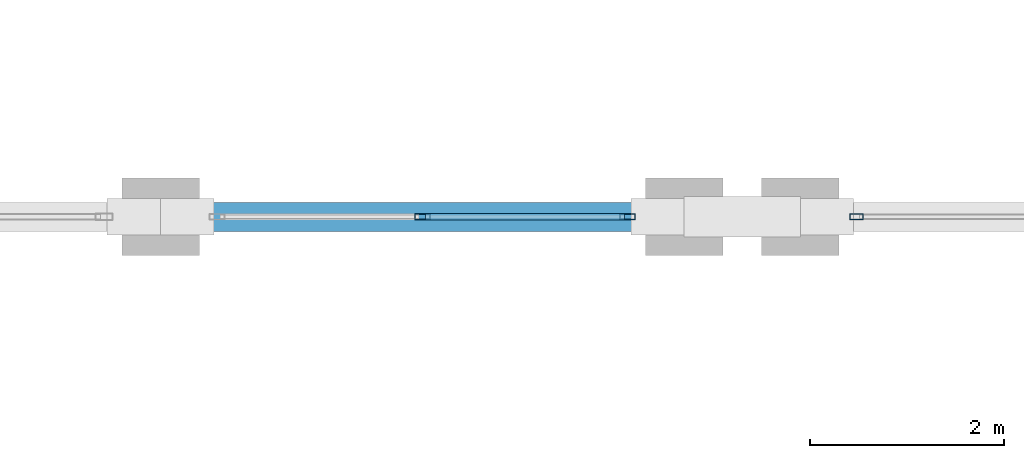
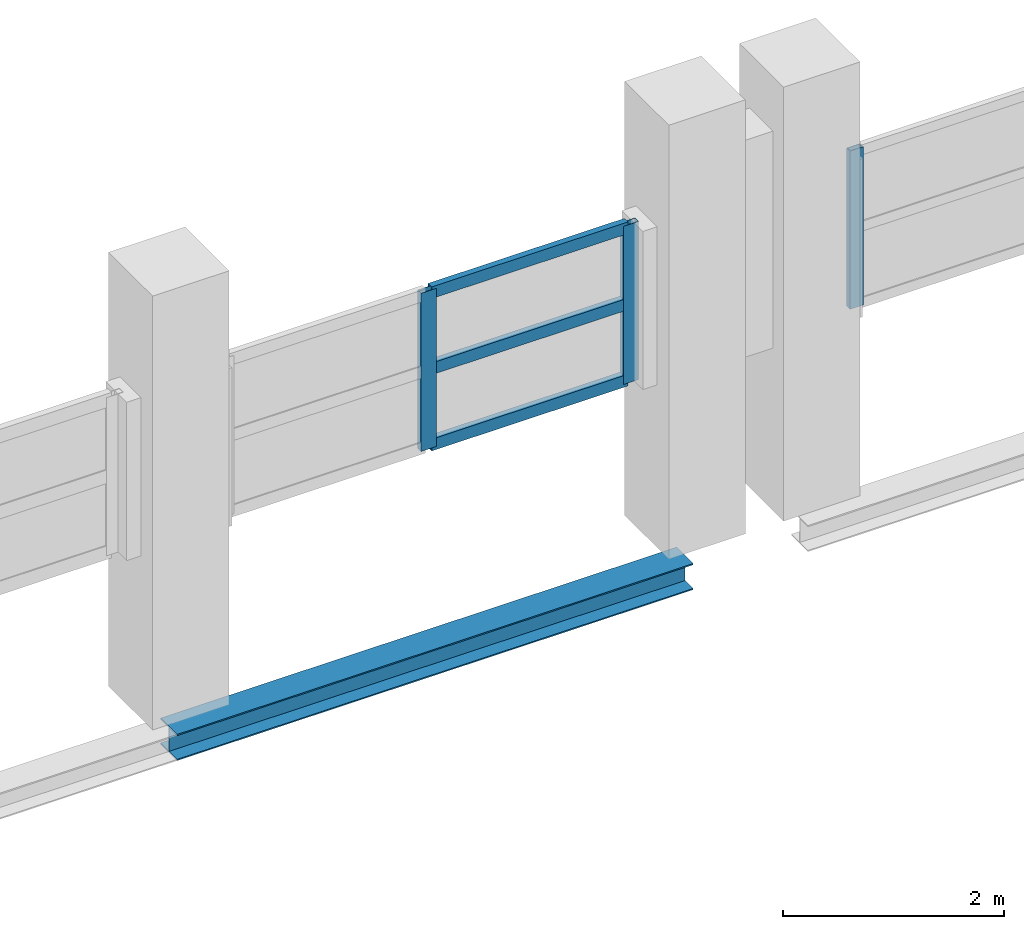
# One storey, part 55 of 86: 6 members, 1 beam, 2 elements without a shape of their own.
"""IFC4 building model written with IfcOpenShell, lengths in metres."""

from ifc_helpers import new_model, si_unit, direction, frame, origin, origin_2d, place, context, subcontext, project, spatial, hollow_rectangle, i_section, extrude, material, layer, layer_set, material_profile, profile_set, type_object, element, aggregate, save


model = new_model("IFC4")

# Units and contexts
model_context = context("Model", 3, precision=1e-05, world=origin(), true_north=direction((0.0, 1.0)))
body_context = subcontext(model_context, "Body", "Model", "MODEL_VIEW")
ifc_project = project(units=[si_unit("LENGTHUNIT", "METRE"), si_unit("AREAUNIT", "SQUARE_METRE"), si_unit("VOLUMEUNIT", "CUBIC_METRE"), si_unit("PLANEANGLEUNIT", "RADIAN"), si_unit("MASSUNIT", "GRAM", prefix="KILO")], contexts=[model_context])

# Site, building, storey
site_placement = place(None, origin())
site = spatial("IfcSite", under=ifc_project, at=site_placement, CompositionType="ELEMENT")
building_placement = place(site_placement, origin())
building = spatial("IfcBuilding", under=site, at=building_placement, Name="Zilviju Railside Exhibition Hall", CompositionType="ELEMENT")
storey_placement = place(building_placement, frame((0.0, 0.0, 12.60009765625)))
storey = spatial("IfcBuildingStorey", under=building, at=storey_placement, Name="L04", CompositionType="ELEMENT", Elevation=12.60009765625)

# Beam
ifc_material_1 = material(Name="Steel S355J2", Category="steel")
ifc_material_profile_1 = material_profile(ifc_material_1, i_section(OverallWidth=0.300048828125, OverallDepth=0.2900390625, WebThickness=0.008544921875, FlangeThickness=0.013916015625, at=origin_2d()), Name="HEA 300")
ifc_profile_set_1 = profile_set([ifc_material_profile_1], Name="Steel S355J2")
beam_type = type_object("IfcBeamType", Name="BM-HEA300", PredefinedType="SPANDREL", material=ifc_profile_set_1)
beam_placement = place(storey_placement, frame((120.0, 138.0, -0.485107421875), z_axis=(1.0, 0.0, 0.0), x_axis=(0.0, 1.0, 0.0)))
element("IfcBeam", 1, at=beam_placement, inside=storey, type_object=beam_type, Name="Primary Girder L04 Y=138.0 (120.0..125.4)", PredefinedType="SPANDREL", context=body_context, shape_type="SweptSolid", body=[
    extrude(i_section(OverallWidth=0.300048828125, OverallDepth=0.2900390625, WebThickness=0.008544921875, FlangeThickness=0.013916015625, at=origin_2d()), origin(), (0.0, 0.0, 1.0), 5.39990234375),
])

# Curtain wall, member
ifc_material_2 = material(Name="Thermally broken aluminium-steel triple-glazed curtain wall", Category="steel")
ifc_layer_1 = layer(ifc_material_2, 0.179931640625)
ifc_layer_set_1 = layer_set([ifc_layer_1], Name="Thermally broken aluminium-steel triple-glazed curtain wall")
curtain_wall_type_1 = type_object("IfcCurtainWallType", Name="CW-BAY-05", PredefinedType="USERDEFINED", material=ifc_layer_set_1)
curtain_wall_1_placement = place(storey_placement, origin())
curtain_wall_1 = element("IfcCurtainWall", 2, at=curtain_wall_1_placement, inside=storey, type_object=curtain_wall_type_1, Name="North Hall Clerestory Curtain Wall L04 (127..132)", ObjectType="GLAZED CURTAIN WALL", PredefinedType="USERDEFINED")
ifc_material_3 = material(Name="Thermally broken anodized aluminium mullion", Category="aluminium")
ifc_material_profile_2 = material_profile(ifc_material_3, hollow_rectangle(XDim=0.06005859375, YDim=0.139892578125, WallThickness=0.0048828125, at=origin_2d()), Name="MULLION 140x60x5")
ifc_profile_set_2 = profile_set([ifc_material_profile_2], Name="Thermally broken anodized aluminium mullion")
member_type_1 = type_object("IfcMemberType", Name="CWM-60x140", PredefinedType="MULLION", material=ifc_profile_set_2)
member_1_placement = place(storey_placement, frame((127.179931640625, 138.0, 1.7998046875), z_axis=(0.0, 0.0, 1.0), x_axis=(0.0, 1.0, 0.0)))
member_1 = element("IfcMember", 3, at=member_1_placement, type_object=member_type_1, Name="CW-05 mullion 1", PredefinedType="MULLION", context=body_context, shape_type="SweptSolid", body=[
    extrude(hollow_rectangle(XDim=0.06005859375, YDim=0.139892578125, WallThickness=0.0048828125, at=origin_2d()), origin(), (0.0, 0.0, 1.0), 1.75),
])
aggregate(curtain_wall_1, [member_1])

# Curtain wall, members
ifc_layer_2 = layer(ifc_material_2, 0.179931640625)
ifc_layer_set_2 = layer_set([ifc_layer_2], Name="Thermally broken aluminium-steel triple-glazed curtain wall")
curtain_wall_type_2 = type_object("IfcCurtainWallType", Name="CW-BAY-04", PredefinedType="USERDEFINED", material=ifc_layer_set_2)
curtain_wall_2_placement = place(storey_placement, origin())
curtain_wall_2 = element("IfcCurtainWall", 4, at=curtain_wall_2_placement, inside=storey, type_object=curtain_wall_type_2, Name="North Hall Clerestory Curtain Wall L04 (120..125)", ObjectType="GLAZED CURTAIN WALL", PredefinedType="USERDEFINED")
ifc_material_profile_3 = material_profile(ifc_material_3, hollow_rectangle(XDim=0.06494140625, YDim=0.159912109375, WallThickness=0.0048828125, at=origin_2d()), Name="MULLION 160x65x5")
ifc_profile_set_3 = profile_set([ifc_material_profile_3], Name="Thermally broken anodized aluminium mullion")
member_type_2 = type_object("IfcMemberType", Name="CWM-65x160", PredefinedType="MULLION", material=ifc_profile_set_3)
member_2_placement = place(storey_placement, frame((122.699951171875, 138.0, 1.7998046875), z_axis=(0.0, 0.0, 1.0), x_axis=(0.0, 1.0, 0.0)))
member_2 = element("IfcMember", 5, at=member_2_placement, type_object=member_type_2, Name="CW-04 mullion 2", PredefinedType="MULLION", context=body_context, shape_type="SweptSolid", body=[
    extrude(hollow_rectangle(XDim=0.06494140625, YDim=0.159912109375, WallThickness=0.0048828125, at=origin_2d()), origin(), (0.0, 0.0, 1.0), 1.75),
])
member_3_placement = place(storey_placement, frame((124.8173828125, 138.0, 1.7998046875), z_axis=(0.0, 0.0, 1.0), x_axis=(0.0, 1.0, 0.0)))
member_3 = element("IfcMember", 6, at=member_3_placement, type_object=member_type_2, Name="CW-04 mullion 3", PredefinedType="MULLION", context=body_context, shape_type="SweptSolid", body=[
    extrude(hollow_rectangle(XDim=0.06494140625, YDim=0.159912109375, WallThickness=0.0048828125, at=origin_2d()), origin(), (0.0, 0.0, 1.0), 1.75),
])
ifc_material_4 = material(Name="Thermally broken anodized aluminium transom", Category="aluminium")
ifc_material_profile_4 = material_profile(ifc_material_4, hollow_rectangle(XDim=0.06494140625, YDim=0.1298828125, WallThickness=0.0048828125, at=origin_2d()), Name="TRANSOM 130x65x5")
ifc_profile_set_4 = profile_set([ifc_material_profile_4], Name="Thermally broken anodized aluminium transom")
member_type_3 = type_object("IfcMemberType", Name="CWT-65x130", PredefinedType="USERDEFINED", material=ifc_profile_set_4)
member_4_placement = place(storey_placement, frame((122.732421875, 138.0, 1.83251953125), z_axis=(1.0, 0.0, 0.0), x_axis=(0.0, 1.0, 0.0)))
member_4 = element("IfcMember", 7, at=member_4_placement, type_object=member_type_3, Name="CW-04 transom 2.1", ObjectType="TRANSOM", PredefinedType="USERDEFINED", context=body_context, shape_type="SweptSolid", body=[
    extrude(hollow_rectangle(XDim=0.06494140625, YDim=0.1298828125, WallThickness=0.0048828125, at=origin_2d()), origin(), (0.0, 0.0, 1.0), 2.052490234375),
])
member_5_placement = place(storey_placement, frame((122.732421875, 138.0, 2.6748046875), z_axis=(1.0, 0.0, 0.0), x_axis=(0.0, 1.0, 0.0)))
member_5 = element("IfcMember", 8, at=member_5_placement, type_object=member_type_3, Name="CW-04 transom 2.2", ObjectType="TRANSOM", PredefinedType="USERDEFINED", context=body_context, shape_type="SweptSolid", body=[
    extrude(hollow_rectangle(XDim=0.06494140625, YDim=0.1298828125, WallThickness=0.0048828125, at=origin_2d()), origin(), (0.0, 0.0, 1.0), 2.052490234375),
])
member_6_placement = place(storey_placement, frame((122.732421875, 138.0, 3.517333984375), z_axis=(1.0, 0.0, 0.0), x_axis=(0.0, 1.0, 0.0)))
member_6 = element("IfcMember", 9, at=member_6_placement, type_object=member_type_3, Name="CW-04 transom 2.3", ObjectType="TRANSOM", PredefinedType="USERDEFINED", context=body_context, shape_type="SweptSolid", body=[
    extrude(hollow_rectangle(XDim=0.06494140625, YDim=0.1298828125, WallThickness=0.0048828125, at=origin_2d()), origin(), (0.0, 0.0, 1.0), 2.052490234375),
])
aggregate(curtain_wall_2, [member_2, member_3, member_4, member_5, member_6])

save(model, "model.ifc")
